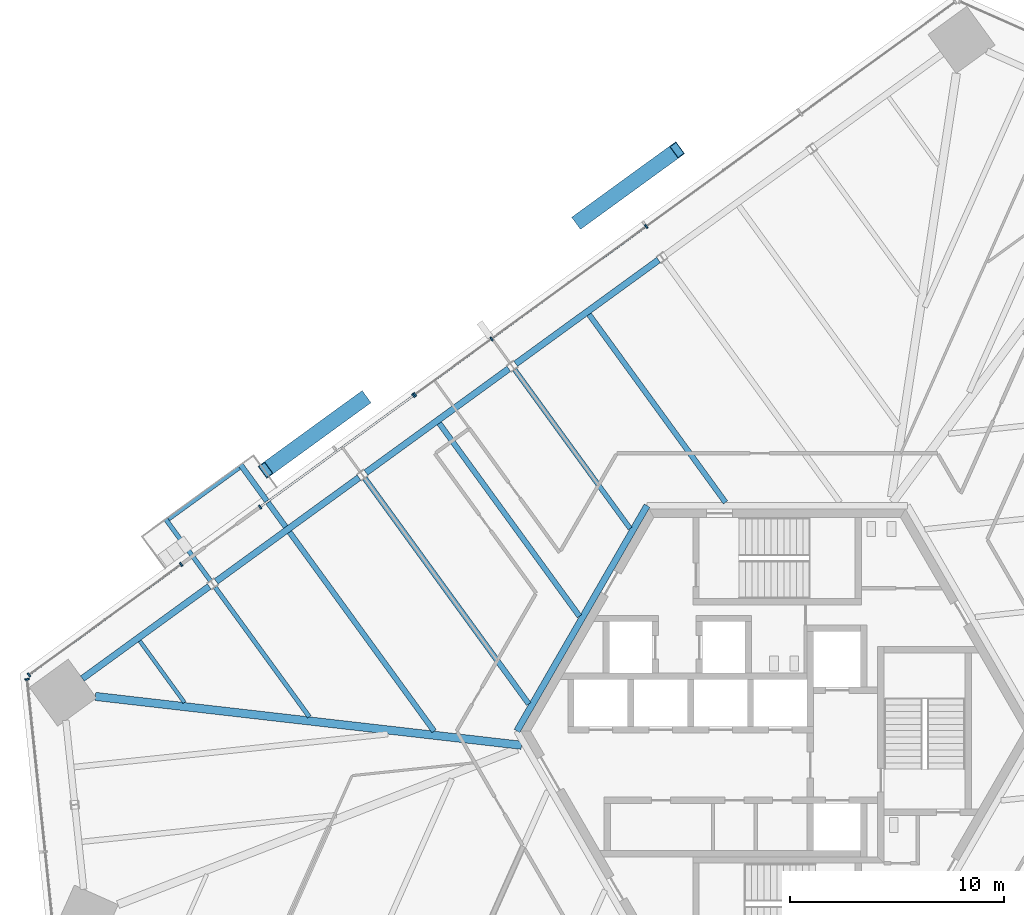
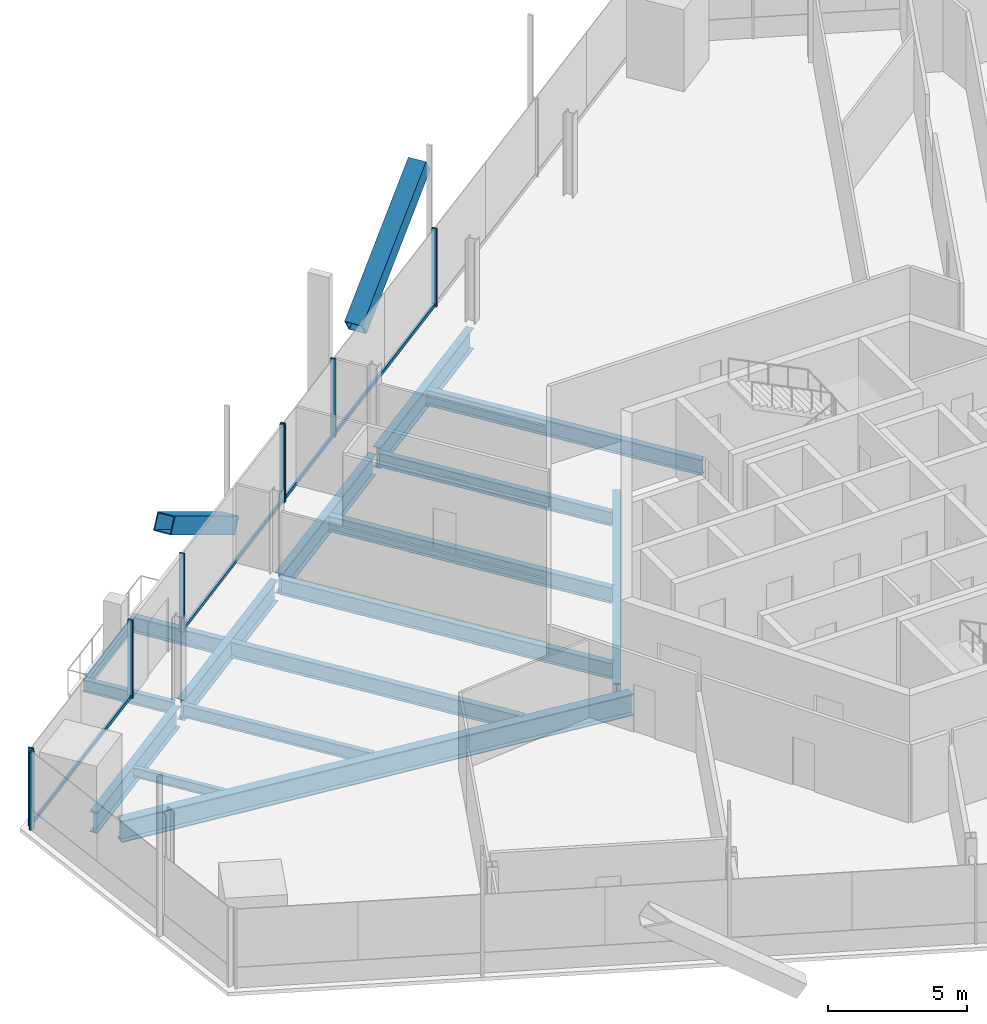
# One storey, part 6 of 21: 16 beams, 14 members, 4 elements without a shape of their own.
"""IFC4 building model written with IfcOpenShell, lengths in metres."""

from ifc_helpers import new_model, si_unit, direction, frame, origin, origin_2d, place, context, subcontext, project, spatial, rectangle, hollow_rectangle, i_section, extrude, source, transform, mapped, material, material_profile, profile_set, type_object, element, aggregate, save


model = new_model("IFC4")

# Units and contexts
model_context = context("Model", 3, precision=1e-05, world=origin(), true_north=direction((0.0, 1.0)))
body_context = subcontext(model_context, "Body", "Model", "MODEL_VIEW")
ifc_project = project(units=[si_unit("LENGTHUNIT", "METRE"), si_unit("AREAUNIT", "SQUARE_METRE"), si_unit("VOLUMEUNIT", "CUBIC_METRE"), si_unit("PLANEANGLEUNIT", "RADIAN"), si_unit("MASSUNIT", "GRAM", prefix="KILO")], contexts=[model_context])

# Site, building, storey
site_placement = place(None, origin())
site = spatial("IfcSite", under=ifc_project, at=site_placement, CompositionType="ELEMENT")
building_placement = place(site_placement, origin())
building = spatial("IfcBuilding", under=site, at=building_placement, Name="Triune Harvest Tower", CompositionType="ELEMENT")
storey_placement = place(building_placement, frame((0.0, 0.0, 80.10009765625)))
storey = spatial("IfcBuildingStorey", under=building, at=storey_placement, Name="L19", CompositionType="ELEMENT", Elevation=80.10009765625)

# Beam
ifc_material_1 = material(Name="Steel ASTM A992 Gr 50", Category="steel")
ifc_material_profile_1 = material_profile(ifc_material_1, i_section(OverallWidth=0.180908203125, OverallDepth=0.41650390625, WebThickness=0.010986328125, FlangeThickness=0.01806640625, at=origin_2d()), Name="W16x57")
ifc_profile_set_1 = profile_set([ifc_material_profile_1], Name="Steel ASTM A992 Gr 50")
beam_type_1 = type_object("IfcBeamType", Name="BE-1 balcony edge beam W16x57", PredefinedType="BEAM", material=ifc_profile_set_1)
beam_1_placement = place(storey_placement, frame((-28.479736328125, 9.903564453125, -0.368408203125), z_axis=(0.809027011479, 0.587771464685, 0.0), x_axis=(-0.587771464685, 0.809027011479, 0.0)))
element("IfcBeam", 1, at=beam_1_placement, inside=storey, type_object=beam_type_1, Name="Balcony edge beam B2-F3 L19.10", PredefinedType="BEAM", context=body_context, shape_type="SweptSolid", body=[
    extrude(i_section(OverallWidth=0.180908203125, OverallDepth=0.41650390625, WebThickness=0.010986328125, FlangeThickness=0.01806640625, at=origin_2d()), origin(), (0.0, 0.0, 1.0), 4.099365234375),
])

# Curtain wall, member
ifc_material_2 = material(Name="Aluminium bronze anodised", Category="aluminium")
curtain_wall_type_1 = type_object("IfcCurtainWallType", Name="CW-10 Balcony window wall with insulated spandrel infill", PredefinedType="NOTDEFINED", material=ifc_material_2)
curtain_wall_1_placement = place(storey_placement, origin())
curtain_wall_1 = element("IfcCurtainWall", 2, at=curtain_wall_1_placement, inside=storey, type_object=curtain_wall_type_1, Name="CW-10 B2-F3 L19 run 1001")
ifc_material_3 = material(Name="Aluminium bronze anodised", Category="aluminium")
ifc_material_profile_2 = material_profile(ifc_material_3, rectangle(XDim=0.090087890625, YDim=0.14990234375, at=origin_2d()), Name="TR-6 transom 90 x 150")
ifc_profile_set_2 = profile_set([ifc_material_profile_2], Name="Aluminium bronze anodised")
member_type_1 = type_object("IfcMemberType", Name="TR-6 transom 90 x 150", PredefinedType="USERDEFINED", material=ifc_profile_set_2)
member_1_placement = place(storey_placement, frame((-17.047119140625, 15.67041015625, 0.074951171875), z_axis=(-0.809025078104, -0.587774125834, 0.0), x_axis=(0.587774125834, -0.809025078104, 0.0)))
member_1 = element("IfcMember", 3, at=member_1_placement, type_object=member_type_1, Name="CW-10 transom B2-F3 1001.1", ObjectType="TRANSOM", PredefinedType="USERDEFINED", context=body_context, shape_type="SweptSolid", body=[
    extrude(rectangle(XDim=0.090087890625, YDim=0.14990234375, at=origin_2d()), origin(), (0.0, 0.0, 1.0), 8.80126953125),
])

ifc_material_4 = material(Name="Aluminium bronze anodised", Category="aluminium")
curtain_wall_type_2 = type_object("IfcCurtainWallType", Name="CW-6 Balcony window wall", PredefinedType="NOTDEFINED", material=ifc_material_4)
curtain_wall_2_placement = place(storey_placement, origin())
curtain_wall_2 = element("IfcCurtainWall", 4, at=curtain_wall_2_placement, inside=storey, type_object=curtain_wall_type_2, Name="CW-6 B2-F3 L19 run 2")
member_2_placement = place(storey_placement, frame((-27.917724609375, 7.772705078125, 0.074951171875), z_axis=(-0.809008064346, -0.587797543226, 0.0), x_axis=(0.587797543226, -0.809008064346, 0.0)))
member_2 = element("IfcMember", 5, at=member_2_placement, type_object=member_type_1, Name="CW-6 transom B2-F3 2.1", ObjectType="TRANSOM", PredefinedType="USERDEFINED", context=body_context, shape_type="SweptSolid", body=[
    extrude(rectangle(XDim=0.090087890625, YDim=0.14990234375, at=origin_2d()), origin(), (0.0, 0.0, 1.0), 8.73095703125),
])

# Beams
ifc_material_5 = material(Name="Steel ASTM A992 Gr 50", Category="steel")
ifc_material_profile_3 = material_profile(ifc_material_5, i_section(OverallWidth=0.3046875, OverallDepth=0.914306640625, WebThickness=0.0166015625, FlangeThickness=0.02587890625, at=origin_2d()), Name="W36x160")
ifc_profile_set_3 = profile_set([ifc_material_profile_3], Name="Steel ASTM A992 Gr 50")
beam_type_2 = type_object("IfcBeamType", Name="CG-1 Core ring girder W36x160", PredefinedType="BEAM", material=ifc_profile_set_3)
shared_shape_1 = source(origin(), body_context, "Body", "SweptSolid", [
    extrude(i_section(OverallWidth=0.3046875, OverallDepth=0.914306640625, WebThickness=0.0166015625, FlangeThickness=0.02587890625, at=origin_2d()), origin(), (0.0, 0.0, 1.0), 12.176025390625),
])
beam_2_placement = place(storey_placement, frame((-6.087890625, 10.544677734375, -0.6171875), z_axis=(-0.5000099932, -0.866019634131, 0.0), x_axis=(0.866019634131, -0.5000099932, 0.0)))
element("IfcBeam", 6, at=beam_2_placement, inside=storey, type_object=beam_type_2, Name="beam/L19/CG3", PredefinedType="BEAM", context=body_context, shape_type="MappedRepresentation", body=[
    mapped(shared_shape_1, transform((0.0, 0.0, 0.0), scale=1.0)),
])
ifc_material_6 = material(Name="Steel ASTM A992 Gr 50", Category="steel")
ifc_material_profile_4 = material_profile(ifc_material_6, i_section(OverallWidth=0.3046875, OverallDepth=0.914306640625, WebThickness=0.0166015625, FlangeThickness=0.02587890625, at=origin_2d()), Name="W36x160")
ifc_profile_set_4 = profile_set([ifc_material_profile_4], Name="Steel ASTM A992 Gr 50")
beam_type_3 = type_object("IfcBeamType", Name="SB-1 Spandrel beam W36x160", PredefinedType="SPANDREL", material=ifc_profile_set_4)
shared_shape_2 = source(origin(), body_context, "Body", "SweptSolid", [
    extrude(i_section(OverallWidth=0.3046875, OverallDepth=0.914306640625, WebThickness=0.0166015625, FlangeThickness=0.02587890625, at=origin_2d()), origin(), (0.0, 0.0, 1.0), 7.337890625),
])
beam_3_placement = place(storey_placement, frame((-26.574951171875, 6.763916015625, -0.6171875), z_axis=(-0.80902661548, -0.58777200975, 0.0), x_axis=(0.58777200975, -0.80902661548, 0.0)))
element("IfcBeam", 7, at=beam_3_placement, inside=storey, type_object=beam_type_3, Name="beam/L19/SB14", PredefinedType="SPANDREL", context=body_context, shape_type="MappedRepresentation", body=[
    mapped(shared_shape_2, transform((0.0, 0.0, 0.0), scale=1.0)),
])
shared_shape_3 = source(origin(), body_context, "Body", "SweptSolid", [
    extrude(i_section(OverallWidth=0.3046875, OverallDepth=0.914306640625, WebThickness=0.0166015625, FlangeThickness=0.02587890625, at=origin_2d()), origin(), (0.0, 0.0, 1.0), 8.263427734375),
])
for number, where, z_axis, x_axis, name in (
    (8, (-5.55126953125, 22.03857421875, -0.6171875), (-0.809015786763, -0.587786914424, 0.0), (0.587786914424, -0.809015786763, 0.0), "beam/L19/SB11"),
    (9, (-12.55908203125, 16.947021484375, -0.6171875), (-0.809015786763, -0.587786914424, 0.0), (0.587786914424, -0.809015786763, 0.0), "beam/L19/SB12"),
    (10, (-19.56689453125, 11.85546875, -0.6171875), (-0.809015786763, -0.587786914424, 0.0), (0.587786914424, -0.809015786763, 0.0), "beam/L19/SB13"),
):
    element("IfcBeam", number, at=place(storey_placement, frame(where, z_axis=z_axis, x_axis=x_axis)), inside=storey, type_object=beam_type_3, Name=name, PredefinedType="SPANDREL", context=body_context, shape_type="MappedRepresentation", body=[
        mapped(shared_shape_3, transform((0.0, 0.0, 0.0), scale=1.0)),
    ])
ifc_material_7 = material(Name="Steel ASTM A992 Gr 50", Category="steel")
ifc_material_profile_5 = material_profile(ifc_material_7, i_section(OverallWidth=0.383544921875, OverallDepth=0.9423828125, WebThickness=0.022216796875, FlangeThickness=0.039794921875, at=origin_2d()), Name="W36x232")
ifc_profile_set_5 = profile_set([ifc_material_profile_5], Name="Steel ASTM A992 Gr 50")
beam_type_4 = type_object("IfcBeamType", Name="HG-1 Hip girder W36x232", PredefinedType="BEAM", material=ifc_profile_set_5)
shared_shape_4 = source(origin(), body_context, "Body", "SweptSolid", [
    extrude(i_section(OverallWidth=0.383544921875, OverallDepth=0.9423828125, WebThickness=0.022216796875, FlangeThickness=0.039794921875, at=origin_2d()), origin(), (0.0, 0.0, 1.0), 20.070556640625),
])
beam_4_placement = place(storey_placement, frame((-31.904541015625, 1.61572265625, -0.63134765625), z_axis=(0.993487545287, -0.113940762503, 0.0), x_axis=(0.113940762503, 0.993487545287, 0.0)))
element("IfcBeam", 11, at=beam_4_placement, inside=storey, type_object=beam_type_4, Name="beam/L19/HG5", PredefinedType="BEAM", context=body_context, shape_type="MappedRepresentation", body=[
    mapped(shared_shape_4, transform((0.0, 0.0, 0.0), scale=1.0)),
])
ifc_material_8 = material(Name="Steel ASTM A992 Gr 50", Category="steel")
ifc_material_profile_6 = material_profile(ifc_material_8, i_section(OverallWidth=0.22900390625, OverallDepth=0.612060546875, WebThickness=0.011962890625, FlangeThickness=0.01953125, at=origin_2d()), Name="W24x84")
ifc_profile_set_6 = profile_set([ifc_material_profile_6], Name="Steel ASTM A992 Gr 50")
beam_type_5 = type_object("IfcBeamType", Name="JT-3 Floor joist W24x84", PredefinedType="JOIST", material=ifc_profile_set_6)
shared_shape_5 = source(origin(), body_context, "Body", "SweptSolid", [
    extrude(i_section(OverallWidth=0.22900390625, OverallDepth=0.612060546875, WebThickness=0.011962890625, FlangeThickness=0.01953125, at=origin_2d()), origin(), (0.0, 0.0, 1.0), 9.186279296875),
])
beam_5_placement = place(storey_placement, frame((-12.2822265625, 16.905029296875, -0.46630859375), z_axis=(0.58779079947, -0.809012964085, 0.0), x_axis=(0.809012964085, 0.58779079947, 0.0)))
element("IfcBeam", 12, at=beam_5_placement, inside=storey, type_object=beam_type_5, Name="beam/L19/JT19", PredefinedType="JOIST", context=body_context, shape_type="MappedRepresentation", body=[
    mapped(shared_shape_5, transform((0.0, 0.0, 0.0), scale=1.0)),
])
ifc_material_9 = material(Name="Steel ASTM A992 Gr 50", Category="steel")
ifc_material_profile_7 = material_profile(ifc_material_9, i_section(OverallWidth=0.253662109375, OverallDepth=0.683349609375, WebThickness=0.012451171875, FlangeThickness=0.01904296875, at=origin_2d()), Name="W27x94")
ifc_profile_set_7 = profile_set([ifc_material_profile_7], Name="Steel ASTM A992 Gr 50")
beam_type_6 = type_object("IfcBeamType", Name="JT-4 Floor joist W27x94", PredefinedType="JOIST", material=ifc_profile_set_7)
shared_shape_6 = source(origin(), body_context, "Body", "SweptSolid", [
    extrude(i_section(OverallWidth=0.253662109375, OverallDepth=0.683349609375, WebThickness=0.012451171875, FlangeThickness=0.01904296875, at=origin_2d()), origin(), (0.0, 0.0, 1.0), 11.158935546875),
])
beam_6_placement = place(storey_placement, frame((-15.812255859375, 14.395263671875, -0.501708984375), z_axis=(0.58778396925, -0.809017926558, 0.0), x_axis=(0.809017926558, 0.58778396925, 0.0)))
element("IfcBeam", 13, at=beam_6_placement, inside=storey, type_object=beam_type_6, Name="beam/L19/JT20", PredefinedType="JOIST", context=body_context, shape_type="MappedRepresentation", body=[
    mapped(shared_shape_6, transform((0.0, 0.0, 0.0), scale=1.0)),
])
shared_shape_7 = source(origin(), body_context, "Body", "SweptSolid", [
    extrude(i_section(OverallWidth=0.253662109375, OverallDepth=0.683349609375, WebThickness=0.012451171875, FlangeThickness=0.01904296875, at=origin_2d()), origin(), (0.0, 0.0, 1.0), 10.86474609375),
])
beam_7_placement = place(storey_placement, frame((-8.804443359375, 19.48681640625, -0.501708984375), z_axis=(0.587789508047, -0.809013902371, 0.0), x_axis=(0.809013902371, 0.587789508047, 0.0)))
element("IfcBeam", 14, at=beam_7_placement, inside=storey, type_object=beam_type_6, Name="beam/L19/JT18", PredefinedType="JOIST", context=body_context, shape_type="MappedRepresentation", body=[
    mapped(shared_shape_7, transform((0.0, 0.0, 0.0), scale=1.0)),
])
shared_shape_8 = source(origin(), body_context, "Body", "SweptSolid", [
    extrude(i_section(OverallWidth=0.253662109375, OverallDepth=0.683349609375, WebThickness=0.012451171875, FlangeThickness=0.01904296875, at=origin_2d()), origin(), (0.0, 0.0, 1.0), 13.042724609375),
])
beam_8_placement = place(storey_placement, frame((-19.2900390625, 11.8134765625, -0.501708984375), z_axis=(0.587795444635, -0.809009589107, 0.0), x_axis=(0.809009589107, 0.587795444635, 0.0)))
element("IfcBeam", 15, at=beam_8_placement, inside=storey, type_object=beam_type_6, Name="beam/L19/JT21", PredefinedType="JOIST", context=body_context, shape_type="MappedRepresentation", body=[
    mapped(shared_shape_8, transform((0.0, 0.0, 0.0), scale=1.0)),
])
shared_shape_9 = source(origin(), body_context, "Body", "SweptSolid", [
    extrude(i_section(OverallWidth=0.253662109375, OverallDepth=0.683349609375, WebThickness=0.012451171875, FlangeThickness=0.01904296875, at=origin_2d()), origin(), (0.0, 0.0, 1.0), 11.511474609375),
])
beam_9_placement = place(storey_placement, frame((-22.820068359375, 9.3037109375, -0.501708984375), z_axis=(0.587775656534, -0.809023966015, 0.0), x_axis=(0.809023966015, 0.587775656534, 0.0)))
element("IfcBeam", 16, at=beam_9_placement, inside=storey, type_object=beam_type_6, Name="beam/L19/JT22", PredefinedType="JOIST", context=body_context, shape_type="MappedRepresentation", body=[
    mapped(shared_shape_9, transform((0.0, 0.0, 0.0), scale=1.0)),
])
ifc_material_10 = material(Name="Steel ASTM A992 Gr 50", Category="steel")
ifc_material_profile_8 = material_profile(ifc_material_10, i_section(OverallWidth=0.2099609375, OverallDepth=0.535888671875, WebThickness=0.010986328125, FlangeThickness=0.017333984375, at=origin_2d()), Name="W21x68")
ifc_profile_set_8 = profile_set([ifc_material_profile_8], Name="Steel ASTM A992 Gr 50")
beam_type_7 = type_object("IfcBeamType", Name="JT-2 Floor joist W21x68", PredefinedType="JOIST", material=ifc_profile_set_8)
shared_shape_10 = source(origin(), body_context, "Body", "SweptSolid", [
    extrude(i_section(OverallWidth=0.2099609375, OverallDepth=0.535888671875, WebThickness=0.010986328125, FlangeThickness=0.017333984375, at=origin_2d()), origin(), (0.0, 0.0, 1.0), 7.4921875),
])
beam_10_placement = place(storey_placement, frame((-26.2978515625, 6.721923828125, -0.427978515625), z_axis=(0.587787996274, -0.809015000748, 0.0), x_axis=(0.809015000748, 0.587787996274, 0.0)))
element("IfcBeam", 17, at=beam_10_placement, inside=storey, type_object=beam_type_7, Name="beam/L19/JT23", PredefinedType="JOIST", context=body_context, shape_type="MappedRepresentation", body=[
    mapped(shared_shape_10, transform((0.0, 0.0, 0.0), scale=1.0)),
])
ifc_material_11 = material(Name="Steel ASTM A992 Gr 50", Category="steel")
ifc_material_profile_9 = material_profile(ifc_material_11, i_section(OverallWidth=0.180908203125, OverallDepth=0.41650390625, WebThickness=0.010986328125, FlangeThickness=0.01806640625, at=origin_2d()), Name="W16x57")
ifc_profile_set_9 = profile_set([ifc_material_profile_9], Name="Steel ASTM A992 Gr 50")
beam_type_8 = type_object("IfcBeamType", Name="JT-1 Floor joist W16x57", PredefinedType="JOIST", material=ifc_profile_set_9)
shared_shape_11 = source(origin(), body_context, "Body", "SweptSolid", [
    extrude(i_section(OverallWidth=0.180908203125, OverallDepth=0.41650390625, WebThickness=0.010986328125, FlangeThickness=0.01806640625, at=origin_2d()), origin(), (0.0, 0.0, 1.0), 3.561767578125),
])
beam_11_placement = place(storey_placement, frame((-29.827880859375, 4.212158203125, -0.368408203125), z_axis=(0.587768138852, -0.80902942774, 0.0), x_axis=(0.80902942774, 0.587768138852, 0.0)))
element("IfcBeam", 18, at=beam_11_placement, inside=storey, type_object=beam_type_8, Name="beam/L19/JT24", PredefinedType="JOIST", context=body_context, shape_type="MappedRepresentation", body=[
    mapped(shared_shape_11, transform((0.0, 0.0, 0.0), scale=1.0)),
])

# Members
ifc_material_12 = material(Name="Steel ASTM A572 Gr 50", Category="steel")
ifc_material_profile_10 = material_profile(ifc_material_12, hollow_rectangle(XDim=0.699951171875, YDim=0.699951171875, WallThickness=0.0400390625, at=origin_2d()), Name="Box 700x700x40")
ifc_profile_set_10 = profile_set([ifc_material_profile_10], Name="Steel ASTM A572 Gr 50")
member_type_2 = type_object("IfcMemberType", Name="BR-1 Brace Box 700x700x40", PredefinedType="BRACE", material=ifc_profile_set_10)
shared_shape_12 = source(origin(), body_context, "Body", "SweptSolid", [
    extrude(hollow_rectangle(XDim=0.699951171875, YDim=0.699951171875, WallThickness=0.0400390625, at=origin_2d()), origin(), (0.0, 0.0, 1.0), 6.7021484375),
])
for number, where, z_axis, x_axis, name in (
    (19, (-19.36376953125, 15.53271484375, 0.0), (-0.682396818538, -0.495815037481, 0.537123850389), (0.587804439459, -0.809003053735, 0.0), "brace/B2-F3/d1/7"),
    (20, (-9.2587890625, 23.863037109375, 0.0), (0.682396818538, 0.495815037481, 0.537123850389), (-0.587804439459, 0.809003053735, 0.0), "brace/B2-F3/d2/7"),
):
    element("IfcMember", number, at=place(storey_placement, frame(where, z_axis=z_axis, x_axis=x_axis)), inside=storey, type_object=member_type_2, Name=name, PredefinedType="BRACE", context=body_context, shape_type="MappedRepresentation", body=[
        mapped(shared_shape_12, transform((0.0, 0.0, 0.0), scale=1.0)),
    ])

# Curtain wall, member
ifc_material_13 = material(Name="Aluminium bronze anodised", Category="aluminium")
curtain_wall_type_3 = type_object("IfcCurtainWallType", Name="CW-1 Tower stick curtain wall", PredefinedType="NOTDEFINED", material=ifc_material_13)
curtain_wall_3_placement = place(storey_placement, origin())
curtain_wall_3 = element("IfcCurtainWall", 21, at=curtain_wall_3_placement, inside=storey, type_object=curtain_wall_type_3, Name="CW-1 B2-F4 L19 run 1")
ifc_material_14 = material(Name="Aluminium bronze anodised", Category="aluminium")
ifc_material_profile_11 = material_profile(ifc_material_14, rectangle(XDim=0.199951171875, YDim=0.074951171875, at=origin_2d()), Name="MU-1 mullion 75 x 200")
ifc_profile_set_11 = profile_set([ifc_material_profile_11], Name="Aluminium bronze anodised")
member_type_3 = type_object("IfcMemberType", Name="MU-1 mullion 75 x 200", PredefinedType="MULLION", material=ifc_profile_set_11)
shared_shape_13 = source(origin(), body_context, "Body", "SweptSolid", [
    extrude(rectangle(XDim=0.199951171875, YDim=0.074951171875, at=origin_2d()), origin(), (0.0, 0.0, 1.0), 3.43994140625),
])
member_3_placement = place(storey_placement, frame((-35.1015625, 2.416748046875, 0.0), z_axis=(0.0, 0.0, 1.0), x_axis=(0.994521790334, 0.104529462601, 0.0)))
member_3 = element("IfcMember", 22, at=member_3_placement, type_object=member_type_3, Name="CW-1 mullion B2-F4 1.1", PredefinedType="MULLION", context=body_context, shape_type="MappedRepresentation", body=[
    mapped(shared_shape_13, transform((0.0, 0.0, 0.0), scale=1.0)),
])
aggregate(curtain_wall_3, [member_3])

# Curtain wall, members
curtain_wall_4_placement = place(storey_placement, origin())
curtain_wall_4 = element("IfcCurtainWall", 23, at=curtain_wall_4_placement, inside=storey, type_object=curtain_wall_type_2, Name="CW-6 B2-F3 L19 run 1")
ifc_material_15 = material(Name="Aluminium bronze anodised", Category="aluminium")
ifc_material_profile_12 = material_profile(ifc_material_15, rectangle(XDim=0.199951171875, YDim=0.074951171875, at=origin_2d()), Name="MU-6 mullion 75 x 200")
ifc_profile_set_12 = profile_set([ifc_material_profile_12], Name="Aluminium bronze anodised")
member_type_4 = type_object("IfcMemberType", Name="MU-6 mullion 75 x 200", PredefinedType="MULLION", material=ifc_profile_set_12)
shared_shape_14 = source(origin(), body_context, "Body", "SweptSolid", [
    extrude(rectangle(XDim=0.199951171875, YDim=0.074951171875, at=origin_2d()), origin(), (0.0, 0.0, 1.0), 3.43994140625),
])
member_4_placement = place(storey_placement, frame((-6.1240234375, 23.606689453125, 0.0), z_axis=(0.0, 0.0, 1.0), x_axis=(0.587784808458, -0.809017316839, 0.0)))
member_4 = element("IfcMember", 24, at=member_4_placement, type_object=member_type_4, Name="CW-6 mullion B2-F3 1.5", PredefinedType="MULLION", context=body_context, shape_type="MappedRepresentation", body=[
    mapped(shared_shape_14, transform((0.0, 0.0, 0.0), scale=1.0)),
])
member_5_placement = place(storey_placement, frame((-13.36572265625, 18.34521484375, 0.0), z_axis=(0.0, 0.0, 1.0), x_axis=(0.587784808458, -0.809017316839, 0.0)))
member_5 = element("IfcMember", 25, at=member_5_placement, type_object=member_type_4, Name="CW-6 mullion B2-F3 1.7", PredefinedType="MULLION", context=body_context, shape_type="MappedRepresentation", body=[
    mapped(shared_shape_14, transform((0.0, 0.0, 0.0), scale=1.0)),
])
member_6_placement = place(storey_placement, frame((-16.9560546875, 15.736572265625, 0.0), z_axis=(0.0, 0.0, 1.0), x_axis=(0.587784808458, -0.809017316839, 0.0)))
member_6 = element("IfcMember", 26, at=member_6_placement, type_object=member_type_4, Name="CW-6 mullion B2-F3 1.8", PredefinedType="MULLION", context=body_context, shape_type="MappedRepresentation", body=[
    mapped(shared_shape_14, transform((0.0, 0.0, 0.0), scale=1.0)),
])

# Member
member_7_placement = place(storey_placement, frame((-17.016845703125, 15.692626953125, 0.0), z_axis=(0.0, 0.0, 1.0), x_axis=(0.587786687591, -0.809015951568, 0.0)))
member_7 = element("IfcMember", 27, at=member_7_placement, type_object=member_type_4, Name="CW-10 mullion B2-F3 1001.1", PredefinedType="MULLION", context=body_context, shape_type="MappedRepresentation", body=[
    mapped(shared_shape_14, transform((0.0, 0.0, 0.0), scale=1.0)),
])

member_8_placement = place(storey_placement, frame((-24.19775390625, 10.475341796875, 0.0), z_axis=(0.0, 0.0, 1.0), x_axis=(0.587786687591, -0.809015951568, 0.0)))
member_8 = element("IfcMember", 28, at=member_8_placement, type_object=member_type_4, Name="CW-10 mullion B2-F3 1001.3", PredefinedType="MULLION", context=body_context, shape_type="MappedRepresentation", body=[
    mapped(shared_shape_14, transform((0.0, 0.0, 0.0), scale=1.0)),
])

aggregate(curtain_wall_1, [member_7, member_8, member_1])

member_9_placement = place(storey_placement, frame((-27.887451171875, 7.794677734375, 0.0), z_axis=(0.0, 0.0, 1.0), x_axis=(0.587785226043, -0.809017013446, 0.0)))
member_9 = element("IfcMember", 29, at=member_9_placement, type_object=member_type_4, Name="CW-6 mullion B2-F3 2.1", PredefinedType="MULLION", context=body_context, shape_type="MappedRepresentation", body=[
    mapped(shared_shape_14, transform((0.0, 0.0, 0.0), scale=1.0)),
])

member_10_placement = place(storey_placement, frame((-35.01171875, 2.61865234375, 0.0), z_axis=(0.0, 0.0, 1.0), x_axis=(0.587785226043, -0.809017013446, 0.0)))
member_10 = element("IfcMember", 30, at=member_10_placement, type_object=member_type_4, Name="CW-6 mullion B2-F3 2.3", PredefinedType="MULLION", context=body_context, shape_type="MappedRepresentation", body=[
    mapped(shared_shape_14, transform((0.0, 0.0, 0.0), scale=1.0)),
])

aggregate(curtain_wall_2, [member_9, member_10, member_2])

# Beam
ifc_material_16 = material(Name="Steel ASTM A992 Gr 50", Category="steel")
ifc_material_profile_13 = material_profile(ifc_material_16, i_section(OverallWidth=0.253662109375, OverallDepth=0.683349609375, WebThickness=0.012451171875, FlangeThickness=0.01904296875, at=origin_2d()), Name="W27x94")
ifc_profile_set_13 = profile_set([ifc_material_profile_13], Name="Steel ASTM A992 Gr 50")
beam_type_9 = type_object("IfcBeamType", Name="BJ-4 Balcony cantilever joist W27x94", PredefinedType="JOIST", material=ifc_profile_set_13)
shared_shape_15 = source(origin(), body_context, "Body", "SweptSolid", [
    extrude(i_section(OverallWidth=0.253662109375, OverallDepth=0.683349609375, WebThickness=0.012451171875, FlangeThickness=0.01904296875, at=origin_2d()), origin(), (0.0, 0.0, 1.0), 3.597412109375),
])
beam_12_placement = place(storey_placement, frame((-22.999267578125, 9.55029296875, -0.501708984375), z_axis=(-0.587780211851, 0.809020656446, 0.0), x_axis=(-0.809020656446, -0.587780211851, 0.0)))
element("IfcBeam", 31, at=beam_12_placement, inside=storey, type_object=beam_type_9, Name="Balcony cantilever joist B2-F3 L19.10b", PredefinedType="JOIST", context=body_context, shape_type="MappedRepresentation", body=[
    mapped(shared_shape_15, transform((0.0, 0.0, 0.0), scale=1.0)),
])

# Member
shared_shape_16 = source(origin(), body_context, "Body", "SweptSolid", [
    extrude(rectangle(XDim=0.090087890625, YDim=0.14990234375, at=origin_2d()), origin(), (0.0, 0.0, 1.0), 4.363037109375),
])
member_11_placement = place(storey_placement, frame((-13.39599609375, 18.3232421875, 0.074951171875), z_axis=(-0.809026357227, -0.587772365217, 0.0), x_axis=(0.587772365217, -0.809026357227, 0.0)))
member_11 = element("IfcMember", 32, at=member_11_placement, type_object=member_type_1, Name="CW-6 transom B2-F3 1.4", ObjectType="TRANSOM", PredefinedType="USERDEFINED", context=body_context, shape_type="MappedRepresentation", body=[
    mapped(shared_shape_16, transform((0.0, 0.0, 0.0), scale=1.0)),
])

shared_shape_17 = source(origin(), body_context, "Body", "SweptSolid", [
    extrude(rectangle(XDim=0.090087890625, YDim=0.14990234375, at=origin_2d()), origin(), (0.0, 0.0, 1.0), 8.876220703125),
])
member_12_placement = place(storey_placement, frame((-6.154296875, 23.58447265625, 0.074951171875), z_axis=(-0.809036899821, -0.587757853821, 0.0), x_axis=(0.587757853821, -0.809036899821, 0.0)))
member_12 = element("IfcMember", 33, at=member_12_placement, type_object=member_type_1, Name="CW-6 transom B2-F3 1.3", ObjectType="TRANSOM", PredefinedType="USERDEFINED", context=body_context, shape_type="MappedRepresentation", body=[
    mapped(shared_shape_17, transform((0.0, 0.0, 0.0), scale=1.0)),
])

aggregate(curtain_wall_4, [member_4, member_5, member_6, member_12, member_11])

# Beam
ifc_material_17 = material(Name="Steel ASTM A992 Gr 50", Category="steel")
ifc_material_profile_14 = material_profile(ifc_material_17, i_section(OverallWidth=0.2099609375, OverallDepth=0.535888671875, WebThickness=0.010986328125, FlangeThickness=0.017333984375, at=origin_2d()), Name="W21x68")
ifc_profile_set_14 = profile_set([ifc_material_profile_14], Name="Steel ASTM A992 Gr 50")
beam_type_10 = type_object("IfcBeamType", Name="BJ-2 Balcony cantilever joist W21x68", PredefinedType="JOIST", material=ifc_profile_set_14)
shared_shape_18 = source(origin(), body_context, "Body", "SweptSolid", [
    extrude(i_section(OverallWidth=0.2099609375, OverallDepth=0.535888671875, WebThickness=0.010986328125, FlangeThickness=0.017333984375, at=origin_2d()), origin(), (0.0, 0.0, 1.0), 3.59765625),
])
beam_13_placement = place(storey_placement, frame((-26.503173828125, 7.00439453125, -0.427978515625), z_axis=(-0.58779235769, 0.809011831954, 0.0), x_axis=(-0.809011831954, -0.58779235769, 0.0)))
element("IfcBeam", 34, at=beam_13_placement, inside=storey, type_object=beam_type_10, Name="Balcony cantilever joist B2-F3 L19.10a", PredefinedType="JOIST", context=body_context, shape_type="MappedRepresentation", body=[
    mapped(shared_shape_18, transform((0.0, 0.0, 0.0), scale=1.0)),
])

save(model, "model.ifc")
